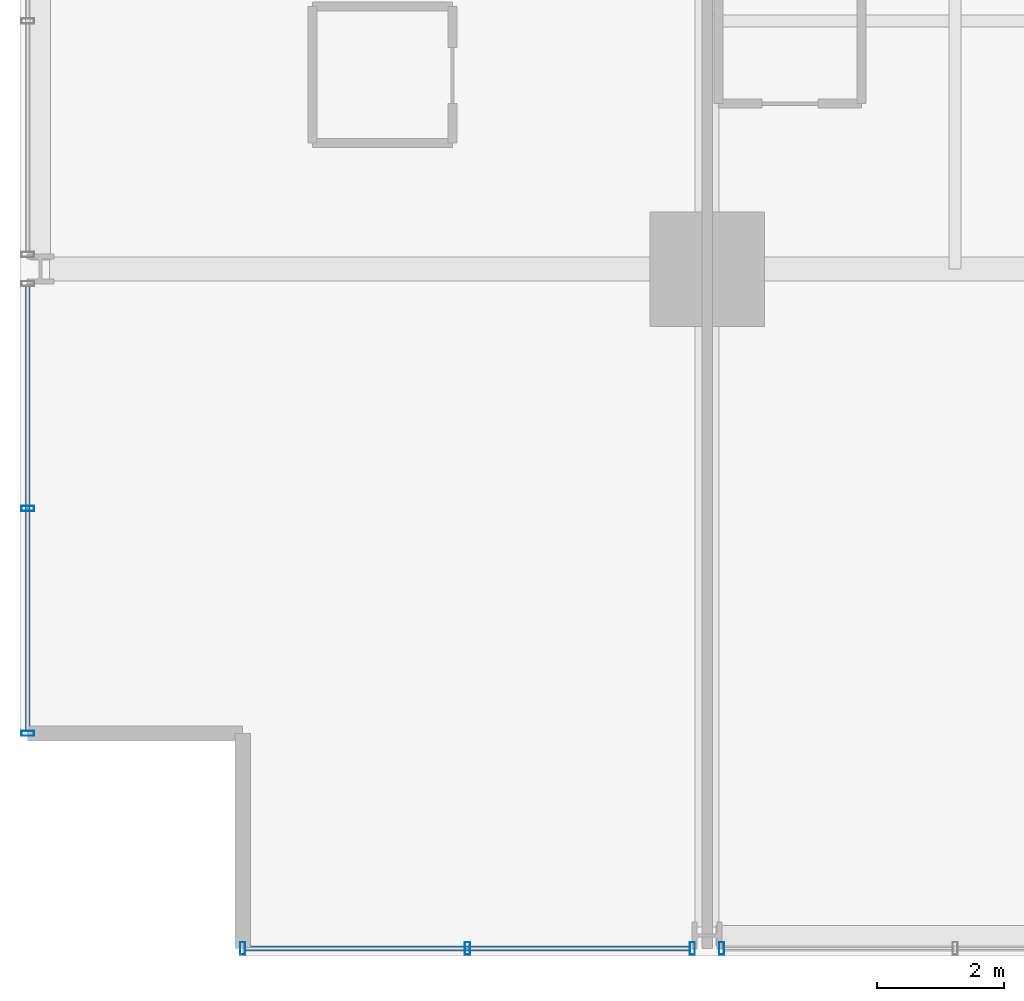
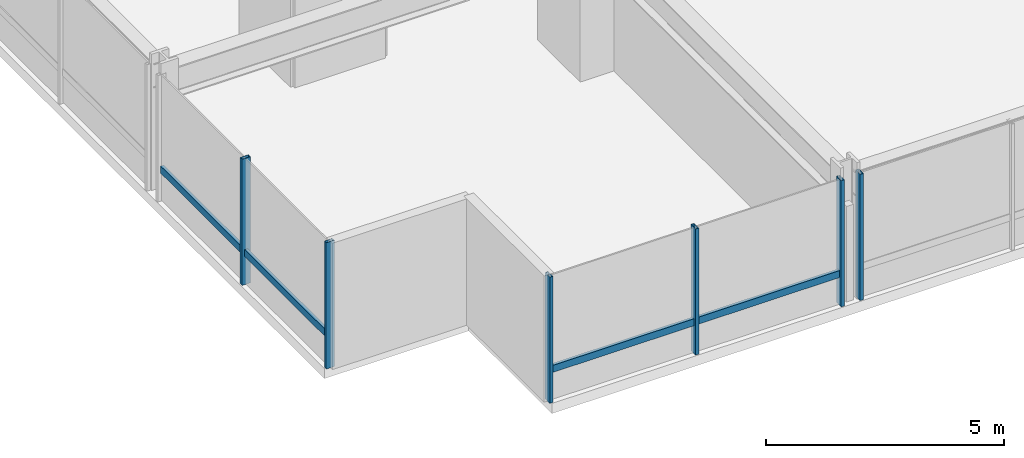
# One storey, part 2 of 38: 8 members, 3 elements without a shape of their own.
"""IFC4 building model written with IfcOpenShell, lengths in metres."""

from ifc_helpers import new_model, si_unit, direction, frame, origin, origin_2d, place, context, subcontext, project, spatial, hollow_rectangle, extrude, material, layer, layer_set, material_profile, profile_set, type_object, element, aggregate, save


model = new_model("IFC4")

# Units and contexts
model_context = context("Model", 3, precision=1e-05, world=origin(), true_north=direction((0.0, 1.0)))
body_context = subcontext(model_context, "Body", "Model", "MODEL_VIEW")
ifc_project = project(units=[si_unit("LENGTHUNIT", "METRE"), si_unit("AREAUNIT", "SQUARE_METRE"), si_unit("VOLUMEUNIT", "CUBIC_METRE"), si_unit("PLANEANGLEUNIT", "RADIAN"), si_unit("MASSUNIT", "GRAM", prefix="KILO")], contexts=[model_context])

# Site, building, storey
site_placement = place(None, origin())
site = spatial("IfcSite", under=ifc_project, at=site_placement, CompositionType="ELEMENT")
building_placement = place(site_placement, origin())
building = spatial("IfcBuilding", under=site, at=building_placement, Name="Drelvath Grand Hotel", CompositionType="ELEMENT")
storey_placement = place(building_placement, frame((0.0, 0.0, 71.699951171875)))
storey = spatial("IfcBuildingStorey", under=building, at=storey_placement, Name="L17", CompositionType="ELEMENT", Elevation=71.699951171875)

# Curtain wall, member
ifc_material = material(Name="Warm Bronze Anodised Aluminium Frame", Category="aluminium")
ifc_layer = layer(ifc_material, 0.199951171875)
ifc_layer_set = layer_set([ifc_layer], Name="Warm Bronze Anodised Aluminium Frame")
curtain_wall_type = type_object("IfcCurtainWallType", Name="Stick Curtain Wall CW-02 Warm Bronze Low-Rise", PredefinedType="NOTDEFINED", material=ifc_layer_set)
curtain_wall_1_placement = place(storey_placement, origin())
curtain_wall_1 = element("IfcCurtainWall", 1, at=curtain_wall_1_placement, inside=storey, type_object=curtain_wall_type, Name="L17 CW-02 Curtain Wall CW02-L17-WS1", PredefinedType="NOTDEFINED")
ifc_material_profile_1 = material_profile(ifc_material, hollow_rectangle(XDim=0.074951171875, YDim=0.179931640625, WallThickness=0.0048828125, at=origin_2d()), Name="HSS180X75X5")
ifc_profile_set_1 = profile_set([ifc_material_profile_1], Name="Warm Bronze Anodised Aluminium Frame")
member_type_1 = type_object("IfcMemberType", Name="Curtain Wall Horizontal Transom CW-02 HSS180X75X5", PredefinedType="USERDEFINED", material=ifc_profile_set_1)
member_1_placement = place(storey_placement, frame((-26.8798828125, 3.5400390625, 0.81005859375), z_axis=(0.0, 1.0, 0.0), x_axis=(-1.0, 0.0, 0.0)))
member_1 = element("IfcMember", 2, at=member_1_placement, type_object=member_type_1, Name="CW02-L17-WS1 Sill Transom", ObjectType="TRANSOM", PredefinedType="USERDEFINED", context=body_context, shape_type="SweptSolid", body=[
    extrude(hollow_rectangle(XDim=0.074951171875, YDim=0.179931640625, WallThickness=0.0048828125, at=origin_2d()), origin(), (0.0, 0.0, 1.0), 6.990966796875),
])

curtain_wall_2_placement = place(storey_placement, origin())
curtain_wall_2 = element("IfcCurtainWall", 3, at=curtain_wall_2_placement, inside=storey, type_object=curtain_wall_type, Name="L17 CW-02 Curtain Wall CW02-L17-SW1", PredefinedType="NOTDEFINED")
member_2_placement = place(storey_placement, frame((-16.468994140625, 0.1201171875, 0.81005859375), z_axis=(-1.0, 0.0, 0.0), x_axis=(0.0, -1.0, 0.0)))
member_2 = element("IfcMember", 4, at=member_2_placement, type_object=member_type_1, Name="CW02-L17-SW1 Sill Transom", ObjectType="TRANSOM", PredefinedType="USERDEFINED", context=body_context, shape_type="SweptSolid", body=[
    extrude(hollow_rectangle(XDim=0.074951171875, YDim=0.179931640625, WallThickness=0.0048828125, at=origin_2d()), origin(), (0.0, 0.0, 1.0), 6.990966796875),
])

# Member
ifc_material_profile_2 = material_profile(ifc_material, hollow_rectangle(XDim=0.080078125, YDim=0.199951171875, WallThickness=0.0048828125, at=origin_2d()), Name="HSS200X80X5")
ifc_profile_set_2 = profile_set([ifc_material_profile_2], Name="Warm Bronze Anodised Aluminium Frame")
member_type_2 = type_object("IfcMemberType", Name="Curtain Wall Vertical Mullion CW-02 HSS200X80X5", PredefinedType="MULLION", material=ifc_profile_set_2)
member_3_placement = place(storey_placement, frame((-26.8798828125, 3.5, 0.0), z_axis=(0.0, 0.0, 1.0), x_axis=(0.0, 1.0, 0.0)))
member_3 = element("IfcMember", 5, at=member_3_placement, type_object=member_type_2, Name="CW02-L17-WS1 Mullion 1", PredefinedType="MULLION", context=body_context, shape_type="SweptSolid", body=[
    extrude(hollow_rectangle(XDim=0.080078125, YDim=0.199951171875, WallThickness=0.0048828125, at=origin_2d()), origin(), (0.0, 0.0, 1.0), 3.239990234375),
])

member_4_placement = place(storey_placement, frame((-26.8798828125, 7.035400390625, 0.0), z_axis=(0.0, 0.0, 1.0), x_axis=(0.0, 1.0, 0.0)))
member_4 = element("IfcMember", 6, at=member_4_placement, type_object=member_type_2, Name="CW02-L17-WS1 Mullion 2", PredefinedType="MULLION", context=body_context, shape_type="SweptSolid", body=[
    extrude(hollow_rectangle(XDim=0.080078125, YDim=0.199951171875, WallThickness=0.0048828125, at=origin_2d()), origin(), (0.0, 0.0, 1.0), 3.239990234375),
])

aggregate(curtain_wall_1, [member_3, member_4, member_1])

member_5_placement = place(storey_placement, frame((-16.42919921875, 0.1201171875, 0.0), z_axis=(0.0, 0.0, 1.0), x_axis=(1.0, 0.0, 0.0)))
member_5 = element("IfcMember", 7, at=member_5_placement, type_object=member_type_2, Name="CW02-L17-SW1 Mullion 1", PredefinedType="MULLION", context=body_context, shape_type="SweptSolid", body=[
    extrude(hollow_rectangle(XDim=0.080078125, YDim=0.199951171875, WallThickness=0.0048828125, at=origin_2d()), origin(), (0.0, 0.0, 1.0), 3.239990234375),
])

member_6_placement = place(storey_placement, frame((-19.964599609375, 0.1201171875, 0.0), z_axis=(0.0, 0.0, 1.0), x_axis=(1.0, 0.0, 0.0)))
member_6 = element("IfcMember", 8, at=member_6_placement, type_object=member_type_2, Name="CW02-L17-SW1 Mullion 2", PredefinedType="MULLION", context=body_context, shape_type="SweptSolid", body=[
    extrude(hollow_rectangle(XDim=0.080078125, YDim=0.199951171875, WallThickness=0.0048828125, at=origin_2d()), origin(), (0.0, 0.0, 1.0), 3.239990234375),
])

member_7_placement = place(storey_placement, frame((-23.5, 0.1201171875, 0.0), z_axis=(0.0, 0.0, 1.0), x_axis=(1.0, 0.0, 0.0)))
member_7 = element("IfcMember", 9, at=member_7_placement, type_object=member_type_2, Name="CW02-L17-SW1 Mullion 3", PredefinedType="MULLION", context=body_context, shape_type="SweptSolid", body=[
    extrude(hollow_rectangle(XDim=0.080078125, YDim=0.199951171875, WallThickness=0.0048828125, at=origin_2d()), origin(), (0.0, 0.0, 1.0), 3.239990234375),
])

aggregate(curtain_wall_2, [member_5, member_6, member_7, member_2])

# Curtain wall, member
curtain_wall_3_placement = place(storey_placement, origin())
curtain_wall_3 = element("IfcCurtainWall", 10, at=curtain_wall_3_placement, inside=storey, type_object=curtain_wall_type, Name="L17 CW-02 Curtain Wall CW02-L17-SW2", PredefinedType="NOTDEFINED")
member_8_placement = place(storey_placement, frame((-15.970947265625, 0.1201171875, 0.0), z_axis=(0.0, 0.0, 1.0), x_axis=(1.0, 0.0, 0.0)))
member_8 = element("IfcMember", 11, at=member_8_placement, type_object=member_type_2, Name="CW02-L17-SW2 Mullion 3", PredefinedType="MULLION", context=body_context, shape_type="SweptSolid", body=[
    extrude(hollow_rectangle(XDim=0.080078125, YDim=0.199951171875, WallThickness=0.0048828125, at=origin_2d()), origin(), (0.0, 0.0, 1.0), 3.239990234375),
])
aggregate(curtain_wall_3, [member_8])

save(model, "model.ifc")
